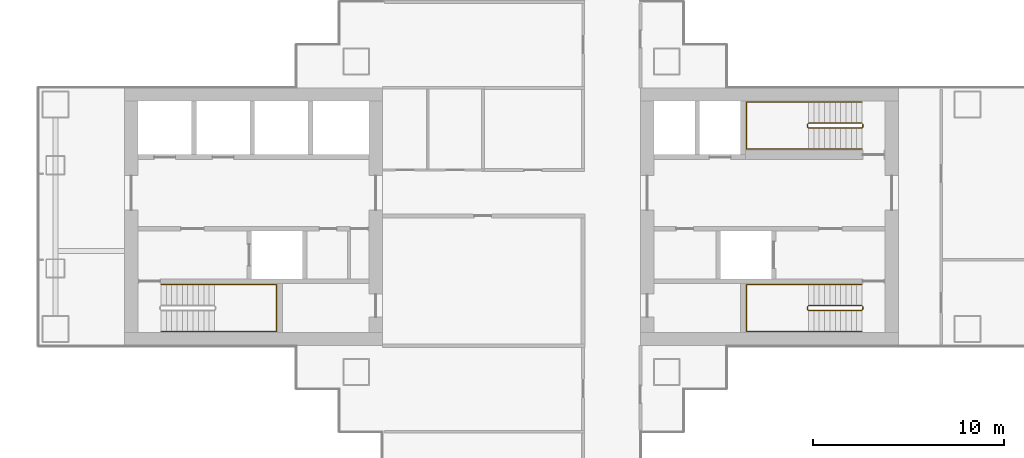
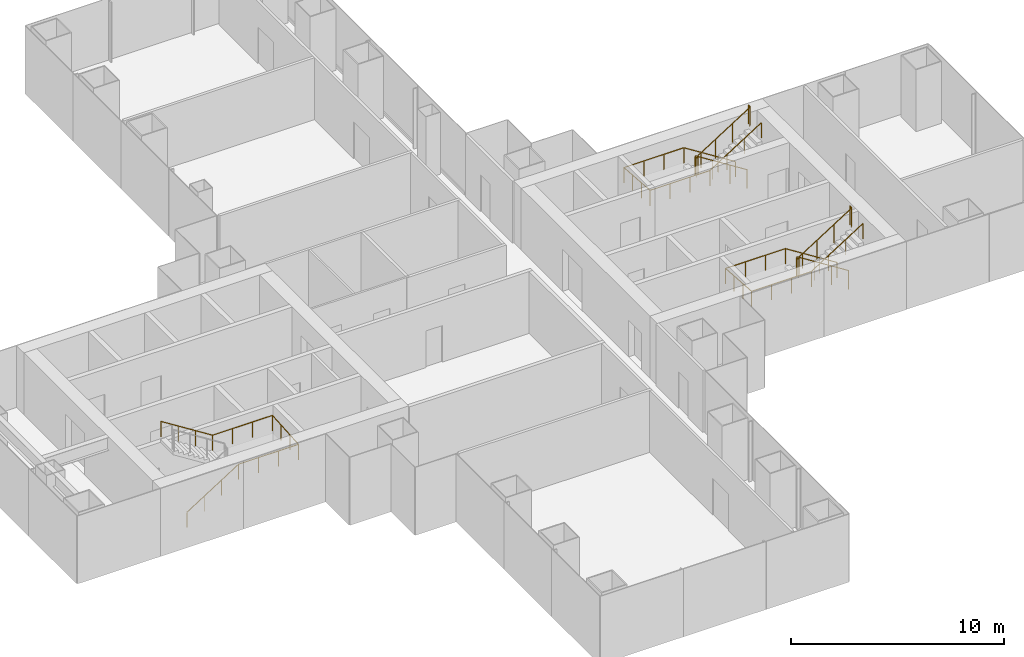
# One storey, part 20 of 21: 5 railings.
"""IFC4 building model written with IfcOpenShell, lengths in metres."""

from ifc_helpers import new_model, si_unit, direction, frame, origin, origin_2d, place, context, subcontext, project, spatial, circle, extrude, material, type_object, element, save


model = new_model("IFC4")

# Units and contexts
model_context = context("Model", 3, precision=1e-05, world=origin(), true_north=direction((0.0, 1.0)))
body_context = subcontext(model_context, "Body", "Model", "MODEL_VIEW")
ifc_project = project(units=[si_unit("LENGTHUNIT", "METRE"), si_unit("AREAUNIT", "SQUARE_METRE"), si_unit("VOLUMEUNIT", "CUBIC_METRE"), si_unit("PLANEANGLEUNIT", "RADIAN"), si_unit("MASSUNIT", "GRAM", prefix="KILO")], contexts=[model_context])

# Site, building, storey
site_placement = place(None, origin())
site = spatial("IfcSite", under=ifc_project, at=site_placement, CompositionType="ELEMENT")
building_placement = place(site_placement, origin())
building = spatial("IfcBuilding", under=site, at=building_placement, Name="Shamsa Quay Exchange Towers", CompositionType="ELEMENT")
storey_placement = place(building_placement, frame((0.0, 0.0, 61.5)))
storey = spatial("IfcBuildingStorey", under=building, at=storey_placement, Name="L13", CompositionType="ELEMENT", Elevation=61.5)

# Railings
ifc_material = material(Name="Stainless steel", Category="steel")
railing_type_1 = type_object("IfcRailingType", Name="STAIR GUARD 1100", PredefinedType="GUARDRAIL", material=ifc_material)
railing_1_placement = place(storey_placement, frame((52.10009765625, -4.64990234375, 0.17724609375)))
element("IfcRailing", 1, at=railing_1_placement, inside=storey, type_object=railing_type_1, Name="L13 ST5 stair guard 1", PredefinedType="GUARDRAIL", context=body_context, shape_type="SweptSolid", body=[
    extrude(circle(Radius=0.02392578125, at=origin_2d()), frame((0.0, 0.0, 1.076171875), z_axis=(-0.844908973607, 0.0, 0.534910110503), x_axis=(0.0, -1.0, 0.0)), (0.0, 0.0, 1.0), 3.31396484375),
    extrude(circle(Radius=0.02392578125, at=origin_2d()), frame((-2.800048828125, 0.0, 2.8486328125), z_axis=(-0.707106781187, -0.707106781187, 0.0), x_axis=(0.707106781187, -0.707106781187, 0.0)), (0.0, 0.0, 1.0), 0.07080078125),
    extrude(circle(Radius=0.02392578125, at=origin_2d()), frame((-2.85009765625, -0.050048828125, 2.8486328125), z_axis=(0.0, -1.0, 0.0), x_axis=(1.0, 0.0, 0.0)), (0.0, 0.0, 1.0), 0.150146484375),
    extrude(circle(Radius=0.02392578125, at=origin_2d()), frame((-2.85009765625, -0.2001953125, 2.8486328125), z_axis=(0.262321481514, -0.261041864531, 0.929001929653), x_axis=(0.705375805398, 0.708833529934, 0.0)), (0.0, 0.0, 1.0), 0.190673828125),
    extrude(circle(Radius=0.02392578125, at=origin_2d()), frame((-2.800048828125, -0.25, 3.02587890625), z_axis=(0.844908973607, 0.0, 0.534910110503), x_axis=(0.0, 1.0, 0.0)), (0.0, 0.0, 1.0), 3.31396484375),
    extrude(circle(Radius=0.02392578125, at=origin_2d()), frame((0.0, -0.25, 4.798828125), z_axis=(0.241699205484, 0.970351222016, 0.0), x_axis=(-0.970351222016, 0.241699205484, 0.0)), (0.0, 0.0, 1.0), 0.2060546875),
    extrude(circle(Radius=0.02392578125, at=origin_2d()), frame((0.0498046875, -0.050048828125, 4.798828125), z_axis=(0.0, -1.0, 0.0), x_axis=(1.0, 0.0, 0.0)), (0.0, 0.0, 1.0), 0.150146484375),
    extrude(circle(Radius=0.02099609375, at=origin_2d()), origin(), (0.0, 0.0, 1.0), 1.052001953125),
    extrude(circle(Radius=0.02099609375, at=origin_2d()), frame((-0.933349609375, 0.0, 0.5908203125)), (0.0, 0.0, 1.0), 1.052001953125),
    extrude(circle(Radius=0.02099609375, at=origin_2d()), frame((-1.86669921875, 0.0, 1.181884765625)), (0.0, 0.0, 1.0), 1.052001953125),
    extrude(circle(Radius=0.02099609375, at=origin_2d()), frame((-2.800048828125, 0.0, 1.772705078125)), (0.0, 0.0, 1.0), 1.052001953125),
    extrude(circle(Radius=0.02099609375, at=origin_2d()), frame((-2.85009765625, -0.050048828125, 1.772705078125)), (0.0, 0.0, 1.0), 1.052001953125),
    extrude(circle(Radius=0.02099609375, at=origin_2d()), frame((-2.85009765625, -0.2001953125, 1.772705078125)), (0.0, 0.0, 1.0), 1.052001953125),
    extrude(circle(Radius=0.02099609375, at=origin_2d()), frame((-2.800048828125, -0.25, 1.949951171875)), (0.0, 0.0, 1.0), 1.052001953125),
    extrude(circle(Radius=0.02099609375, at=origin_2d()), frame((-1.86669921875, -0.25, 2.540771484375)), (0.0, 0.0, 1.0), 1.052001953125),
    extrude(circle(Radius=0.02099609375, at=origin_2d()), frame((-0.933349609375, -0.25, 3.1318359375)), (0.0, 0.0, 1.0), 1.052001953125),
    extrude(circle(Radius=0.02099609375, at=origin_2d()), frame((0.0, -0.25, 3.72265625)), (0.0, 0.0, 1.0), 1.052001953125),
    extrude(circle(Radius=0.02099609375, at=origin_2d()), frame((0.0498046875, -0.050048828125, 3.72265625)), (0.0, 0.0, 1.0), 1.052001953125),
    extrude(circle(Radius=0.02099609375, at=origin_2d()), frame((0.0498046875, -0.2001953125, 3.72265625)), (0.0, 0.0, 1.0), 1.052001953125),
])
railing_2_placement = place(storey_placement, frame((52.10009765625, 4.89990234375, 0.17724609375)))
element("IfcRailing", 2, at=railing_2_placement, inside=storey, type_object=railing_type_1, Name="L13 ST6 stair guard 1", PredefinedType="GUARDRAIL", context=body_context, shape_type="SweptSolid", body=[
    extrude(circle(Radius=0.02392578125, at=origin_2d()), frame((0.0, 0.0, 1.076171875), z_axis=(-0.844908973607, 0.0, 0.534910110503), x_axis=(0.0, -1.0, 0.0)), (0.0, 0.0, 1.0), 3.31396484375),
    extrude(circle(Radius=0.02392578125, at=origin_2d()), frame((-2.800048828125, 0.0, 2.8486328125), z_axis=(-0.708833529934, -0.705375805398, 0.0), x_axis=(0.705375805398, -0.708833529934, 0.0)), (0.0, 0.0, 1.0), 0.070556640625),
    extrude(circle(Radius=0.02392578125, at=origin_2d()), frame((-2.85009765625, -0.0498046875, 2.8486328125), z_axis=(0.0, -1.0, 0.0), x_axis=(1.0, 0.0, 0.0)), (0.0, 0.0, 1.0), 0.150146484375),
    extrude(circle(Radius=0.02392578125, at=origin_2d()), frame((-2.85009765625, -0.199951171875, 2.8486328125), z_axis=(0.262233686654, -0.262233686654, 0.928691007369), x_axis=(0.707106781187, 0.707106781187, 0.0)), (0.0, 0.0, 1.0), 0.19091796875),
    extrude(circle(Radius=0.02392578125, at=origin_2d()), frame((-2.800048828125, -0.25, 3.02587890625), z_axis=(0.844908973607, 0.0, 0.534910110503), x_axis=(0.0, 1.0, 0.0)), (0.0, 0.0, 1.0), 3.31396484375),
    extrude(circle(Radius=0.02392578125, at=origin_2d()), frame((0.0, -0.25, 4.798828125), z_axis=(0.24142163986, 0.970420317083, 0.0), x_axis=(-0.970420317083, 0.24142163986, 0.0)), (0.0, 0.0, 1.0), 0.206298828125),
    extrude(circle(Radius=0.02392578125, at=origin_2d()), frame((0.0498046875, -0.0498046875, 4.798828125), z_axis=(0.0, -1.0, 0.0), x_axis=(1.0, 0.0, 0.0)), (0.0, 0.0, 1.0), 0.150146484375),
    extrude(circle(Radius=0.02099609375, at=origin_2d()), origin(), (0.0, 0.0, 1.0), 1.052001953125),
    extrude(circle(Radius=0.02099609375, at=origin_2d()), frame((-0.933349609375, 0.0, 0.5908203125)), (0.0, 0.0, 1.0), 1.052001953125),
    extrude(circle(Radius=0.02099609375, at=origin_2d()), frame((-1.86669921875, 0.0, 1.181884765625)), (0.0, 0.0, 1.0), 1.052001953125),
    extrude(circle(Radius=0.02099609375, at=origin_2d()), frame((-2.800048828125, 0.0, 1.772705078125)), (0.0, 0.0, 1.0), 1.052001953125),
    extrude(circle(Radius=0.02099609375, at=origin_2d()), frame((-2.85009765625, -0.0498046875, 1.772705078125)), (0.0, 0.0, 1.0), 1.052001953125),
    extrude(circle(Radius=0.02099609375, at=origin_2d()), frame((-2.85009765625, -0.199951171875, 1.772705078125)), (0.0, 0.0, 1.0), 1.052001953125),
    extrude(circle(Radius=0.02099609375, at=origin_2d()), frame((-2.800048828125, -0.25, 1.949951171875)), (0.0, 0.0, 1.0), 1.052001953125),
    extrude(circle(Radius=0.02099609375, at=origin_2d()), frame((-1.86669921875, -0.25, 2.540771484375)), (0.0, 0.0, 1.0), 1.052001953125),
    extrude(circle(Radius=0.02099609375, at=origin_2d()), frame((-0.933349609375, -0.25, 3.1318359375)), (0.0, 0.0, 1.0), 1.052001953125),
    extrude(circle(Radius=0.02099609375, at=origin_2d()), frame((0.0, -0.25, 3.72265625)), (0.0, 0.0, 1.0), 1.052001953125),
    extrude(circle(Radius=0.02099609375, at=origin_2d()), frame((0.0498046875, -0.0498046875, 3.72265625)), (0.0, 0.0, 1.0), 1.052001953125),
    extrude(circle(Radius=0.02099609375, at=origin_2d()), frame((0.0498046875, -0.199951171875, 3.72265625)), (0.0, 0.0, 1.0), 1.052001953125),
])
railing_type_2 = type_object("IfcRailingType", Name="STAIR HANDRAIL 900", PredefinedType="HANDRAIL", material=ifc_material)
railing_3_placement = place(storey_placement, frame((15.39990234375, -6.0, 0.17724609375)))
element("IfcRailing", 3, at=railing_3_placement, inside=storey, type_object=railing_type_2, Name="L13 ST4 stair handrail 1", PredefinedType="HANDRAIL", context=body_context, shape_type="SweptSolid", body=[
    extrude(circle(Radius=0.02392578125, at=origin_2d()), frame((0.0, 0.0, 0.8759765625), z_axis=(0.844908973607, 0.0, 0.534910110503), x_axis=(0.0, 1.0, 0.0)), (0.0, 0.0, 1.0), 3.31396484375),
    extrude(circle(Radius=0.02392578125, at=origin_2d()), frame((2.800048828125, 0.0, 2.6484375), z_axis=(1.0, 0.0, 0.0), x_axis=(0.0, 1.0, 0.0)), (0.0, 0.0, 1.0), 3.25),
    extrude(circle(Radius=0.02392578125, at=origin_2d()), frame((6.050048828125, 0.0, 2.6484375), z_axis=(0.0, 0.997393199914, 0.07215819264), x_axis=(-1.0, 0.0, 0.0)), (0.0, 0.0, 1.0), 2.456298828125),
    extrude(circle(Radius=0.02392578125, at=origin_2d()), frame((6.050048828125, 2.449951171875, 2.82568359375), z_axis=(-1.0, 0.0, 0.0), x_axis=(0.0, -1.0, 0.0)), (0.0, 0.0, 1.0), 3.25),
    extrude(circle(Radius=0.02392578125, at=origin_2d()), frame((2.800048828125, 2.449951171875, 2.82568359375), z_axis=(-0.844908973607, 0.0, 0.534910110503), x_axis=(0.0, -1.0, 0.0)), (0.0, 0.0, 1.0), 3.31396484375),
    extrude(circle(Radius=0.02099609375, at=origin_2d()), origin(), (0.0, 0.0, 1.0), 0.851806640625),
    extrude(circle(Radius=0.02099609375, at=origin_2d()), frame((0.933349609375, 0.0, 0.5908203125)), (0.0, 0.0, 1.0), 0.851806640625),
    extrude(circle(Radius=0.02099609375, at=origin_2d()), frame((1.86669921875, 0.0, 1.181884765625)), (0.0, 0.0, 1.0), 0.851806640625),
    extrude(circle(Radius=0.02099609375, at=origin_2d()), frame((2.800048828125, 0.0, 1.772705078125)), (0.0, 0.0, 1.0), 0.851806640625),
    extrude(circle(Radius=0.02099609375, at=origin_2d()), frame((3.88330078125, 0.0, 1.772705078125)), (0.0, 0.0, 1.0), 0.851806640625),
    extrude(circle(Radius=0.02099609375, at=origin_2d()), frame((4.966796875, 0.0, 1.772705078125)), (0.0, 0.0, 1.0), 0.851806640625),
    extrude(circle(Radius=0.02099609375, at=origin_2d()), frame((6.050048828125, 0.0, 1.772705078125)), (0.0, 0.0, 1.0), 0.851806640625),
    extrude(circle(Radius=0.02099609375, at=origin_2d()), frame((6.050048828125, 0.816650390625, 1.831787109375)), (0.0, 0.0, 1.0), 0.851806640625),
    extrude(circle(Radius=0.02099609375, at=origin_2d()), frame((6.050048828125, 1.63330078125, 1.890869140625)), (0.0, 0.0, 1.0), 0.851806640625),
    extrude(circle(Radius=0.02099609375, at=origin_2d()), frame((6.050048828125, 2.449951171875, 1.949951171875)), (0.0, 0.0, 1.0), 0.851806640625),
    extrude(circle(Radius=0.02099609375, at=origin_2d()), frame((4.966796875, 2.449951171875, 1.949951171875)), (0.0, 0.0, 1.0), 0.851806640625),
    extrude(circle(Radius=0.02099609375, at=origin_2d()), frame((3.88330078125, 2.449951171875, 1.949951171875)), (0.0, 0.0, 1.0), 0.851806640625),
    extrude(circle(Radius=0.02099609375, at=origin_2d()), frame((2.800048828125, 2.449951171875, 1.949951171875)), (0.0, 0.0, 1.0), 0.851806640625),
    extrude(circle(Radius=0.02099609375, at=origin_2d()), frame((1.86669921875, 2.449951171875, 2.540771484375)), (0.0, 0.0, 1.0), 0.851806640625),
    extrude(circle(Radius=0.02099609375, at=origin_2d()), frame((0.933349609375, 2.449951171875, 3.1318359375)), (0.0, 0.0, 1.0), 0.851806640625),
    extrude(circle(Radius=0.02099609375, at=origin_2d()), frame((0.0, 2.449951171875, 3.72265625)), (0.0, 0.0, 1.0), 0.851806640625),
])
railing_4_placement = place(storey_placement, frame((52.10009765625, -3.550048828125, 0.17724609375)))
element("IfcRailing", 4, at=railing_4_placement, inside=storey, type_object=railing_type_2, Name="L13 ST5 stair handrail 1", PredefinedType="HANDRAIL", context=body_context, shape_type="SweptSolid", body=[
    extrude(circle(Radius=0.02392578125, at=origin_2d()), frame((0.0, 0.0, 0.8759765625), z_axis=(-0.844908973607, 0.0, 0.534910110503), x_axis=(0.0, -1.0, 0.0)), (0.0, 0.0, 1.0), 3.31396484375),
    extrude(circle(Radius=0.02392578125, at=origin_2d()), frame((-2.800048828125, 0.0, 2.6484375), z_axis=(-1.0, 0.0, 0.0), x_axis=(0.0, -1.0, 0.0)), (0.0, 0.0, 1.0), 3.25),
    extrude(circle(Radius=0.02392578125, at=origin_2d()), frame((-6.050048828125, 0.0, 2.6484375), z_axis=(0.0, -0.997393199914, 0.07215819264), x_axis=(1.0, 0.0, 0.0)), (0.0, 0.0, 1.0), 2.456298828125),
    extrude(circle(Radius=0.02392578125, at=origin_2d()), frame((-6.050048828125, -2.449951171875, 2.82568359375), z_axis=(1.0, 0.0, 0.0), x_axis=(0.0, 1.0, 0.0)), (0.0, 0.0, 1.0), 3.25),
    extrude(circle(Radius=0.02392578125, at=origin_2d()), frame((-2.800048828125, -2.449951171875, 2.82568359375), z_axis=(0.844908973607, 0.0, 0.534910110503), x_axis=(0.0, 1.0, 0.0)), (0.0, 0.0, 1.0), 3.31396484375),
    extrude(circle(Radius=0.02099609375, at=origin_2d()), origin(), (0.0, 0.0, 1.0), 0.851806640625),
    extrude(circle(Radius=0.02099609375, at=origin_2d()), frame((-0.933349609375, 0.0, 0.5908203125)), (0.0, 0.0, 1.0), 0.851806640625),
    extrude(circle(Radius=0.02099609375, at=origin_2d()), frame((-1.86669921875, 0.0, 1.181884765625)), (0.0, 0.0, 1.0), 0.851806640625),
    extrude(circle(Radius=0.02099609375, at=origin_2d()), frame((-2.800048828125, 0.0, 1.772705078125)), (0.0, 0.0, 1.0), 0.851806640625),
    extrude(circle(Radius=0.02099609375, at=origin_2d()), frame((-3.88330078125, 0.0, 1.772705078125)), (0.0, 0.0, 1.0), 0.851806640625),
    extrude(circle(Radius=0.02099609375, at=origin_2d()), frame((-4.966796875, 0.0, 1.772705078125)), (0.0, 0.0, 1.0), 0.851806640625),
    extrude(circle(Radius=0.02099609375, at=origin_2d()), frame((-6.050048828125, 0.0, 1.772705078125)), (0.0, 0.0, 1.0), 0.851806640625),
    extrude(circle(Radius=0.02099609375, at=origin_2d()), frame((-6.050048828125, -0.816650390625, 1.831787109375)), (0.0, 0.0, 1.0), 0.851806640625),
    extrude(circle(Radius=0.02099609375, at=origin_2d()), frame((-6.050048828125, -1.63330078125, 1.890869140625)), (0.0, 0.0, 1.0), 0.851806640625),
    extrude(circle(Radius=0.02099609375, at=origin_2d()), frame((-6.050048828125, -2.449951171875, 1.949951171875)), (0.0, 0.0, 1.0), 0.851806640625),
    extrude(circle(Radius=0.02099609375, at=origin_2d()), frame((-4.966796875, -2.449951171875, 1.949951171875)), (0.0, 0.0, 1.0), 0.851806640625),
    extrude(circle(Radius=0.02099609375, at=origin_2d()), frame((-3.88330078125, -2.449951171875, 1.949951171875)), (0.0, 0.0, 1.0), 0.851806640625),
    extrude(circle(Radius=0.02099609375, at=origin_2d()), frame((-2.800048828125, -2.449951171875, 1.949951171875)), (0.0, 0.0, 1.0), 0.851806640625),
    extrude(circle(Radius=0.02099609375, at=origin_2d()), frame((-1.86669921875, -2.449951171875, 2.540771484375)), (0.0, 0.0, 1.0), 0.851806640625),
    extrude(circle(Radius=0.02099609375, at=origin_2d()), frame((-0.933349609375, -2.449951171875, 3.1318359375)), (0.0, 0.0, 1.0), 0.851806640625),
    extrude(circle(Radius=0.02099609375, at=origin_2d()), frame((0.0, -2.449951171875, 3.72265625)), (0.0, 0.0, 1.0), 0.851806640625),
])
railing_5_placement = place(storey_placement, frame((52.10009765625, 6.0, 0.17724609375)))
element("IfcRailing", 5, at=railing_5_placement, inside=storey, type_object=railing_type_2, Name="L13 ST6 stair handrail 1", PredefinedType="HANDRAIL", context=body_context, shape_type="SweptSolid", body=[
    extrude(circle(Radius=0.02392578125, at=origin_2d()), frame((0.0, 0.0, 0.8759765625), z_axis=(-0.844908973607, 0.0, 0.534910110503), x_axis=(0.0, -1.0, 0.0)), (0.0, 0.0, 1.0), 3.31396484375),
    extrude(circle(Radius=0.02392578125, at=origin_2d()), frame((-2.800048828125, 0.0, 2.6484375), z_axis=(-1.0, 0.0, 0.0), x_axis=(0.0, -1.0, 0.0)), (0.0, 0.0, 1.0), 3.25),
    extrude(circle(Radius=0.02392578125, at=origin_2d()), frame((-6.050048828125, 0.0, 2.6484375), z_axis=(0.0, -0.997393199914, 0.07215819264), x_axis=(1.0, 0.0, 0.0)), (0.0, 0.0, 1.0), 2.456298828125),
    extrude(circle(Radius=0.02392578125, at=origin_2d()), frame((-6.050048828125, -2.449951171875, 2.82568359375), z_axis=(1.0, 0.0, 0.0), x_axis=(0.0, 1.0, 0.0)), (0.0, 0.0, 1.0), 3.25),
    extrude(circle(Radius=0.02392578125, at=origin_2d()), frame((-2.800048828125, -2.449951171875, 2.82568359375), z_axis=(0.844908973607, 0.0, 0.534910110503), x_axis=(0.0, 1.0, 0.0)), (0.0, 0.0, 1.0), 3.31396484375),
    extrude(circle(Radius=0.02099609375, at=origin_2d()), origin(), (0.0, 0.0, 1.0), 0.851806640625),
    extrude(circle(Radius=0.02099609375, at=origin_2d()), frame((-0.933349609375, 0.0, 0.5908203125)), (0.0, 0.0, 1.0), 0.851806640625),
    extrude(circle(Radius=0.02099609375, at=origin_2d()), frame((-1.86669921875, 0.0, 1.181884765625)), (0.0, 0.0, 1.0), 0.851806640625),
    extrude(circle(Radius=0.02099609375, at=origin_2d()), frame((-2.800048828125, 0.0, 1.772705078125)), (0.0, 0.0, 1.0), 0.851806640625),
    extrude(circle(Radius=0.02099609375, at=origin_2d()), frame((-3.88330078125, 0.0, 1.772705078125)), (0.0, 0.0, 1.0), 0.851806640625),
    extrude(circle(Radius=0.02099609375, at=origin_2d()), frame((-4.966796875, 0.0, 1.772705078125)), (0.0, 0.0, 1.0), 0.851806640625),
    extrude(circle(Radius=0.02099609375, at=origin_2d()), frame((-6.050048828125, 0.0, 1.772705078125)), (0.0, 0.0, 1.0), 0.851806640625),
    extrude(circle(Radius=0.02099609375, at=origin_2d()), frame((-6.050048828125, -0.816650390625, 1.831787109375)), (0.0, 0.0, 1.0), 0.851806640625),
    extrude(circle(Radius=0.02099609375, at=origin_2d()), frame((-6.050048828125, -1.63330078125, 1.890869140625)), (0.0, 0.0, 1.0), 0.851806640625),
    extrude(circle(Radius=0.02099609375, at=origin_2d()), frame((-6.050048828125, -2.449951171875, 1.949951171875)), (0.0, 0.0, 1.0), 0.851806640625),
    extrude(circle(Radius=0.02099609375, at=origin_2d()), frame((-4.966796875, -2.449951171875, 1.949951171875)), (0.0, 0.0, 1.0), 0.851806640625),
    extrude(circle(Radius=0.02099609375, at=origin_2d()), frame((-3.88330078125, -2.449951171875, 1.949951171875)), (0.0, 0.0, 1.0), 0.851806640625),
    extrude(circle(Radius=0.02099609375, at=origin_2d()), frame((-2.800048828125, -2.449951171875, 1.949951171875)), (0.0, 0.0, 1.0), 0.851806640625),
    extrude(circle(Radius=0.02099609375, at=origin_2d()), frame((-1.86669921875, -2.449951171875, 2.540771484375)), (0.0, 0.0, 1.0), 0.851806640625),
    extrude(circle(Radius=0.02099609375, at=origin_2d()), frame((-0.933349609375, -2.449951171875, 3.1318359375)), (0.0, 0.0, 1.0), 0.851806640625),
    extrude(circle(Radius=0.02099609375, at=origin_2d()), frame((0.0, -2.449951171875, 3.72265625)), (0.0, 0.0, 1.0), 0.851806640625),
])

save(model, "model.ifc")
